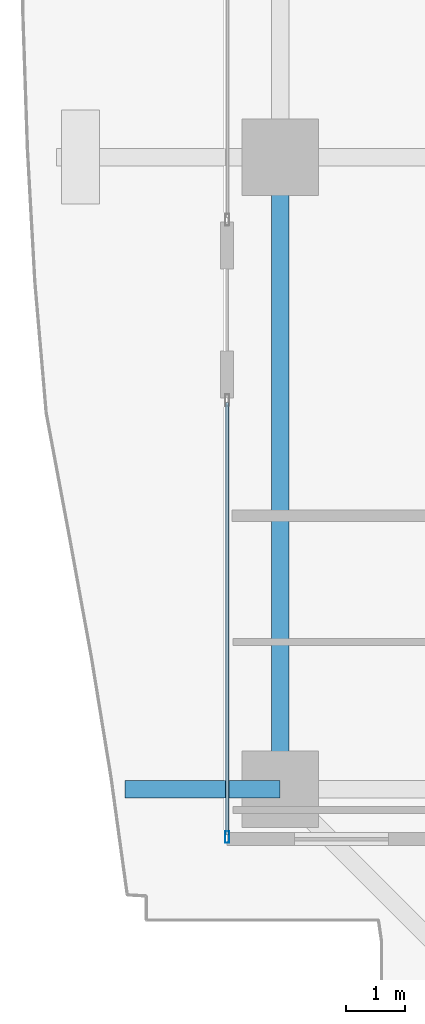
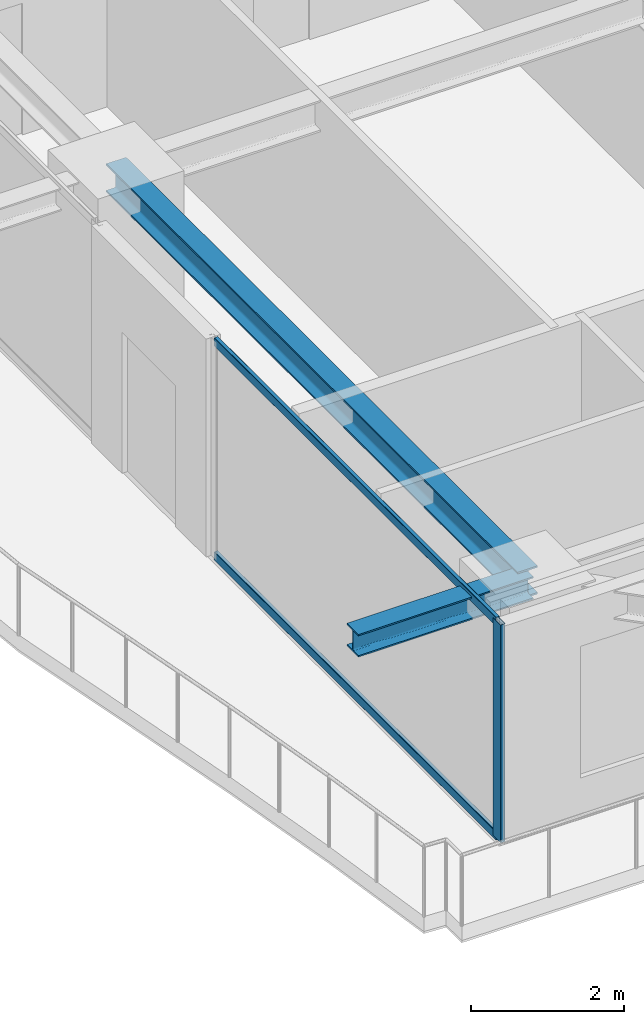
# One storey, part 3 of 38: 3 members, 2 beams, 1 element without a shape of its own.
"""IFC4 building model written with IfcOpenShell, lengths in metres."""

from ifc_helpers import new_model, si_unit, direction, frame, origin, origin_2d, place, context, subcontext, project, spatial, hollow_rectangle, i_section, extrude, source, transform, mapped, material, layer, layer_set, material_profile, profile_set, type_object, element, aggregate, save


model = new_model("IFC4")

# Units and contexts
model_context = context("Model", 3, precision=1e-05, world=origin(), true_north=direction((0.0, 1.0)))
body_context = subcontext(model_context, "Body", "Model", "MODEL_VIEW")
ifc_project = project(units=[si_unit("LENGTHUNIT", "METRE"), si_unit("AREAUNIT", "SQUARE_METRE"), si_unit("VOLUMEUNIT", "CUBIC_METRE"), si_unit("PLANEANGLEUNIT", "RADIAN"), si_unit("MASSUNIT", "GRAM", prefix="KILO")], contexts=[model_context])

# Site, building, storey
site_placement = place(None, origin())
site = spatial("IfcSite", under=ifc_project, at=site_placement, CompositionType="ELEMENT")
building_placement = place(site_placement, origin())
building = spatial("IfcBuilding", under=site, at=building_placement, Name="Serunith Strait Residences", CompositionType="ELEMENT")
storey_placement = place(building_placement, frame((0.0, 0.0, 183.89990234375)))
storey = spatial("IfcBuildingStorey", under=building, at=storey_placement, Name="L46", CompositionType="ELEMENT", Elevation=183.89990234375)

# Beams
ifc_material_1 = material(Name="Steel S355J2", Category="steel")
ifc_material_profile_1 = material_profile(ifc_material_1, i_section(OverallWidth=0.300048828125, OverallDepth=0.449951171875, WebThickness=0.013916015625, FlangeThickness=0.02587890625, FilletRadius=0.027099609375, at=origin_2d()), Name="HEB 450")
ifc_profile_set_1 = profile_set([ifc_material_profile_1], Name="Steel S355J2")
beam_type_1 = type_object("IfcBeamType", Name="BM-HEB450", PredefinedType="BEAM", material=ifc_profile_set_1)
shared_shape_1 = source(origin(), body_context, "Body", "SweptSolid", [
    extrude(i_section(OverallWidth=0.300048828125, OverallDepth=0.449951171875, WebThickness=0.013916015625, FlangeThickness=0.02587890625, FilletRadius=0.027099609375, at=origin_2d()), origin(), (0.0, 0.0, 1.0), 10.75),
])
beam_1_placement = place(storey_placement, frame((8.699951171875, 21.0, 3.26220703125), z_axis=(0.0, -1.0, 0.0), x_axis=(1.0, 0.0, 0.0)))
element("IfcBeam", 1, at=beam_1_placement, inside=storey, type_object=beam_type_1, Name="L46 Perimeter Ring Beam 15", PredefinedType="BEAM", context=body_context, shape_type="MappedRepresentation", body=[
    mapped(shared_shape_1, transform((0.0, 0.0, 0.0), scale=1.0)),
])
ifc_material_profile_2 = material_profile(ifc_material_1, i_section(OverallWidth=0.300048828125, OverallDepth=0.360107421875, WebThickness=0.012451171875, FlangeThickness=0.0224609375, FilletRadius=0.027099609375, at=origin_2d()), Name="HEB 360")
ifc_profile_set_2 = profile_set([ifc_material_profile_2], Name="Steel S355J2")
beam_type_2 = type_object("IfcBeamType", Name="BM-HEB360", PredefinedType="BEAM", material=ifc_profile_set_2)
shared_shape_2 = source(origin(), body_context, "Body", "SweptSolid", [
    extrude(i_section(OverallWidth=0.300048828125, OverallDepth=0.360107421875, WebThickness=0.012451171875, FlangeThickness=0.0224609375, FilletRadius=0.027099609375, at=origin_2d()), origin(), (0.0, 0.0, 1.0), 2.6376953125),
])
beam_2_placement = place(storey_placement, frame((8.699951171875, 10.25, 3.277099609375), z_axis=(-1.0, 0.0, 0.0), x_axis=(0.0, -1.0, 0.0)))
element("IfcBeam", 2, at=beam_2_placement, inside=storey, type_object=beam_type_2, Name="L47 Cantilevered Balcony Rib TC-W1", PredefinedType="BEAM", context=body_context, shape_type="MappedRepresentation", body=[
    mapped(shared_shape_2, transform((0.0, 0.0, 0.0), scale=1.0)),
])

# Curtain wall, members
ifc_material_2 = material(Name="Pale-Champagne Anodised Aluminium", Category="aluminium")
ifc_layer = layer(ifc_material_2, 0.199951171875, Name="Pale-Champagne Anodised Aluminium")
ifc_layer_set = layer_set([ifc_layer], Name="Pale-Champagne Anodised Aluminium")
curtain_wall_type = type_object("IfcCurtainWallType", Name="CW-SYS2", PredefinedType="NOTDEFINED", material=ifc_layer_set)
curtain_wall_placement = place(storey_placement, origin())
curtain_wall = element("IfcCurtainWall", 3, at=curtain_wall_placement, inside=storey, type_object=curtain_wall_type, Name="L46 W Unitised Fritted Curtain Wall", PredefinedType="NOTDEFINED")
ifc_material_profile_3 = material_profile(ifc_material_2, hollow_rectangle(XDim=0.070068359375, YDim=0.199951171875, WallThickness=0.00390625, InnerFilletRadius=0.006103515625, OuterFilletRadius=0.010009765625, at=origin_2d()), Name="ALU 200x70x4")
ifc_profile_set_3 = profile_set([ifc_material_profile_3], Name="Pale-Champagne Anodised Aluminium")
member_type_1 = type_object("IfcMemberType", Name="CW-SYS2-MULL", PredefinedType="MULLION", material=ifc_profile_set_3)
shared_shape_3 = source(origin(), body_context, "Body", "SweptSolid", [
    extrude(hollow_rectangle(XDim=0.070068359375, YDim=0.199951171875, WallThickness=0.00390625, InnerFilletRadius=0.006103515625, OuterFilletRadius=0.010009765625, at=origin_2d()), origin(), (0.0, 0.0, 1.0), 3.47509765625),
])
member_1_placement = place(storey_placement, frame((7.800048828125, 9.43505859375, 0.0), z_axis=(0.0, 0.0, 1.0), x_axis=(1.0, 0.0, 0.0)))
member_1 = element("IfcMember", 4, at=member_1_placement, type_object=member_type_1, Name="CW-2 mullion 2", PredefinedType="MULLION", context=body_context, shape_type="MappedRepresentation", body=[
    mapped(shared_shape_3, transform((0.0, 0.0, 0.0), scale=1.0)),
])
ifc_material_profile_4 = material_profile(ifc_material_2, hollow_rectangle(XDim=0.06005859375, YDim=0.139892578125, WallThickness=0.00341796875, InnerFilletRadius=0.00537109375, OuterFilletRadius=0.0087890625, at=origin_2d()), Name="ALU 140x60x3.5")
ifc_profile_set_4 = profile_set([ifc_material_profile_4], Name="Pale-Champagne Anodised Aluminium")
member_type_2 = type_object("IfcMemberType", Name="CW-SYS2-TRAN", PredefinedType="USERDEFINED", material=ifc_profile_set_4)
shared_shape_4 = source(origin(), body_context, "Body", "SweptSolid", [
    extrude(hollow_rectangle(XDim=0.06005859375, YDim=0.139892578125, WallThickness=0.00341796875, InnerFilletRadius=0.00537109375, OuterFilletRadius=0.0087890625, at=origin_2d()), origin(), (0.0, 0.0, 1.0), 7.360107421875),
])
member_2_placement = place(storey_placement, frame((7.800048828125, 16.830078125, 0.030029296875), z_axis=(0.0, -1.0, 0.0), x_axis=(1.0, 0.0, 0.0)))
member_2 = element("IfcMember", 5, at=member_2_placement, type_object=member_type_2, Name="CW-2 transom 1.1", ObjectType="TRANSOM", PredefinedType="USERDEFINED", context=body_context, shape_type="MappedRepresentation", body=[
    mapped(shared_shape_4, transform((0.0, 0.0, 0.0), scale=1.0)),
])
member_3_placement = place(storey_placement, frame((7.800048828125, 16.830078125, 3.445068359375), z_axis=(0.0, -1.0, 0.0), x_axis=(1.0, 0.0, 0.0)))
member_3 = element("IfcMember", 6, at=member_3_placement, type_object=member_type_2, Name="CW-2 transom 1.2", ObjectType="TRANSOM", PredefinedType="USERDEFINED", context=body_context, shape_type="MappedRepresentation", body=[
    mapped(shared_shape_4, transform((0.0, 0.0, 0.0), scale=1.0)),
])
aggregate(curtain_wall, [member_1, member_2, member_3])

save(model, "model.ifc")
